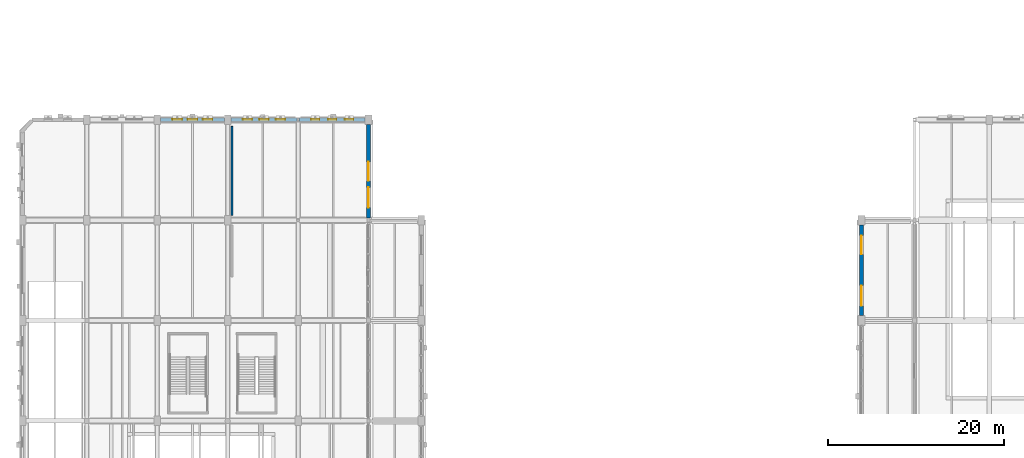
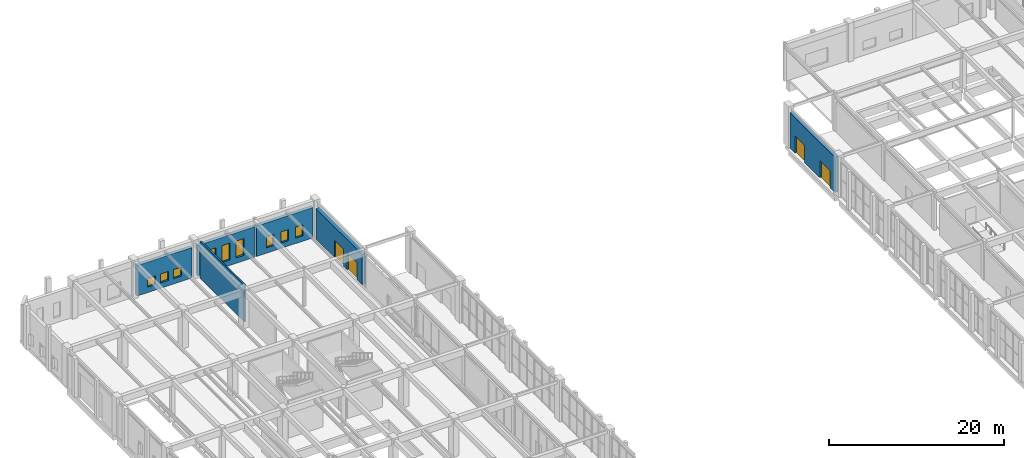
# One storey, part 89 of 113: 9 windows, 6 walls, 4 doors, 13 openings.
"""IFC4 building model written with IfcOpenShell, lengths in metres."""

from ifc_helpers import new_model, si_unit, direction, frame, frame_2d, origin, place, context, subcontext, project, spatial, rectangle, extrude, material, layer, layer_set, type_object, element, fill, save


model = new_model("IFC4")

# Units and contexts
model_context = context("Model", 3, precision=1e-05, world=origin(), true_north=direction((0.0, 1.0)))
body_context = subcontext(model_context, "Body", "Model", "MODEL_VIEW")
ifc_project = project(units=[si_unit("LENGTHUNIT", "METRE"), si_unit("AREAUNIT", "SQUARE_METRE"), si_unit("VOLUMEUNIT", "CUBIC_METRE"), si_unit("PLANEANGLEUNIT", "RADIAN"), si_unit("MASSUNIT", "GRAM", prefix="KILO"), si_unit("POWERUNIT", "WATT"), si_unit("THERMODYNAMICTEMPERATUREUNIT", "KELVIN")], contexts=[model_context])

# Site, building, storey
site_placement = place(None, origin())
site = spatial("IfcSite", under=ifc_project, at=site_placement, CompositionType="ELEMENT")
building_placement = place(site_placement, origin())
building = spatial("IfcBuilding", under=site, at=building_placement, Name="Kelmbourne Parkland Aquatics Centre", CompositionType="ELEMENT")
storey_placement = place(building_placement, origin())
storey = spatial("IfcBuildingStorey", under=building, at=storey_placement, Name="L00", CompositionType="ELEMENT", Elevation=0.0)

# Wall, openings, windows
ifc_material_1 = material(Name="Dark manganite base-course brickwork", Category="masonry")
ifc_layer_1 = layer(ifc_material_1, 0.429931640625)
ifc_layer_set_1 = layer_set([ifc_layer_1], Name="Dark manganite base-course brickwork")
wall_type_1 = type_object("IfcWallType", Name="W-EXT-430", PredefinedType="STANDARD", material=ifc_layer_set_1)
wall_1_placement = place(storey_placement, frame((16.376953125, 103.39990234375, 0.0), z_axis=(0.0, 0.0, 1.0), x_axis=(1.0, 0.0, 0.0)))
wall_1 = element("IfcWall", 1, at=wall_1_placement, inside=storey, type_object=wall_type_1, Name="Exterior polychrome brick wall EW-L00-017", PredefinedType="STANDARD", context=body_context, shape_type="SweptSolid", body=[
    extrude(rectangle(XDim=7.24609375, YDim=0.429931640625, at=frame_2d((3.623046875, 0.0))), origin(), (0.0, 0.0, 1.0), 4.2451171875),
])
opening_1_placement = place(wall_1_placement, frame((1.35009765625, 0.0, 0.75)))
opening_1 = element("IfcOpeningElement", 2, at=opening_1_placement, cuts=wall_1, Name="Opening W13", PredefinedType="OPENING", context=body_context, shape_type="SweptSolid", body=[
    extrude(rectangle(XDim=1.10009765625, YDim=1.25, at=frame_2d((0.550048828125, 0.625))), frame((0.0, 0.22705078125, 0.0), z_axis=(0.0, -1.0, 0.0), x_axis=(1.0, 0.0, 0.0)), (0.0, 0.0, 1.0), 0.453857421875),
])
opening_2_placement = place(wall_1_placement, frame((3.072998046875, 0.0, 0.75)))
opening_2 = element("IfcOpeningElement", 3, at=opening_2_placement, cuts=wall_1, Name="Opening W13", PredefinedType="OPENING", context=body_context, shape_type="SweptSolid", body=[
    extrude(rectangle(XDim=1.10009765625, YDim=1.25, at=frame_2d((0.550048828125, 0.625))), frame((0.0, 0.22705078125, 0.0), z_axis=(0.0, -1.0, 0.0), x_axis=(1.0, 0.0, 0.0)), (0.0, 0.0, 1.0), 0.453857421875),
])
opening_3_placement = place(wall_1_placement, frame((4.7958984375, 0.0, 0.75)))
opening_3 = element("IfcOpeningElement", 4, at=opening_3_placement, cuts=wall_1, Name="Opening W13", PredefinedType="OPENING", context=body_context, shape_type="SweptSolid", body=[
    extrude(rectangle(XDim=1.10009765625, YDim=1.25, at=frame_2d((0.550048828125, 0.625))), frame((0.0, 0.22705078125, 0.0), z_axis=(0.0, -1.0, 0.0), x_axis=(1.0, 0.0, 0.0)), (0.0, 0.0, 1.0), 0.453857421875),
])
ifc_material_2 = material(Name="Thermally broken anodised aluminium window with low-e glass", Category="aluminium")
ifc_layer_2 = layer(ifc_material_2, 0.090087890625)
ifc_layer_set_2 = layer_set([ifc_layer_2], Name="Thermally broken anodised aluminium window with low-e glass")
window_type_1 = type_object("IfcWindowType", Name="WN-13", PartitioningType="SINGLE_PANEL", PredefinedType="WINDOW", material=ifc_layer_set_2)
window_1_placement = place(opening_1_placement, origin())
window_1 = element("IfcWindow", 5, at=window_1_placement, inside=storey, type_object=window_type_1, Name="Deep-reveal masonry window W13", OverallHeight=1.25, OverallWidth=1.10009765625, PartitioningType="SINGLE_PANEL", PredefinedType="WINDOW", context=body_context, shape_type="SweptSolid", body=[
    extrude(rectangle(XDim=1.10009765625, YDim=1.25, at=frame_2d((0.550048828125, 0.625))), frame((0.0, 0.080078125, 0.0), z_axis=(0.0, -1.0, 0.0), x_axis=(1.0, 0.0, 0.0)), (0.0, 0.0, 1.0), 0.06005859375),
])
fill(opening_1, window_1)
window_2_placement = place(opening_2_placement, origin())
window_2 = element("IfcWindow", 6, at=window_2_placement, inside=storey, type_object=window_type_1, Name="Deep-reveal masonry window W13", OverallHeight=1.25, OverallWidth=1.10009765625, PartitioningType="SINGLE_PANEL", PredefinedType="WINDOW", context=body_context, shape_type="SweptSolid", body=[
    extrude(rectangle(XDim=1.10009765625, YDim=1.25, at=frame_2d((0.550048828125, 0.625))), frame((0.0, 0.080078125, 0.0), z_axis=(0.0, -1.0, 0.0), x_axis=(1.0, 0.0, 0.0)), (0.0, 0.0, 1.0), 0.06005859375),
])
fill(opening_2, window_2)
window_3_placement = place(opening_3_placement, origin())
window_3 = element("IfcWindow", 7, at=window_3_placement, inside=storey, type_object=window_type_1, Name="Deep-reveal masonry window W13", OverallHeight=1.25, OverallWidth=1.10009765625, PartitioningType="SINGLE_PANEL", PredefinedType="WINDOW", context=body_context, shape_type="SweptSolid", body=[
    extrude(rectangle(XDim=1.10009765625, YDim=1.25, at=frame_2d((0.550048828125, 0.625))), frame((0.0, 0.080078125, 0.0), z_axis=(0.0, -1.0, 0.0), x_axis=(1.0, 0.0, 0.0)), (0.0, 0.0, 1.0), 0.06005859375),
])
fill(opening_3, window_3)

wall_2_placement = place(storey_placement, frame((24.376953125, 103.39990234375, 0.0), z_axis=(0.0, 0.0, 1.0), x_axis=(1.0, 0.0, 0.0)))
wall_2 = element("IfcWall", 8, at=wall_2_placement, inside=storey, type_object=wall_type_1, Name="Exterior polychrome brick wall EW-L00-018", PredefinedType="STANDARD", context=body_context, shape_type="SweptSolid", body=[
    extrude(rectangle(XDim=7.49609375, YDim=0.429931640625, at=frame_2d((3.748046875, 0.0))), origin(), (0.0, 0.0, 1.0), 4.2451171875),
])
opening_4_placement = place(wall_2_placement, frame((1.35009765625, 0.0, 0.75)))
opening_4 = element("IfcOpeningElement", 9, at=opening_4_placement, cuts=wall_2, Name="Opening W17", PredefinedType="OPENING", context=body_context, shape_type="SweptSolid", body=[
    extrude(rectangle(XDim=1.050048828125, YDim=2.35009765625, at=frame_2d((0.52490234375, 1.175048828125))), frame((0.0, 0.22705078125, 0.0), z_axis=(0.0, -1.0, 0.0), x_axis=(1.0, 0.0, 0.0)), (0.0, 0.0, 1.0), 0.453857421875),
])
opening_5_placement = place(wall_2_placement, frame((3.222900390625, 0.0, 0.75)))
opening_5 = element("IfcOpeningElement", 10, at=opening_5_placement, cuts=wall_2, Name="Opening W17", PredefinedType="OPENING", context=body_context, shape_type="SweptSolid", body=[
    extrude(rectangle(XDim=1.050048828125, YDim=2.35009765625, at=frame_2d((0.52490234375, 1.175048828125))), frame((0.0, 0.22705078125, 0.0), z_axis=(0.0, -1.0, 0.0), x_axis=(1.0, 0.0, 0.0)), (0.0, 0.0, 1.0), 0.453857421875),
])
opening_6_placement = place(wall_2_placement, frame((5.095947265625, 0.0, 0.75)))
opening_6 = element("IfcOpeningElement", 11, at=opening_6_placement, cuts=wall_2, Name="Opening W17", PredefinedType="OPENING", context=body_context, shape_type="SweptSolid", body=[
    extrude(rectangle(XDim=1.050048828125, YDim=2.35009765625, at=frame_2d((0.52490234375, 1.175048828125))), frame((0.0, 0.22705078125, 0.0), z_axis=(0.0, -1.0, 0.0), x_axis=(1.0, 0.0, 0.0)), (0.0, 0.0, 1.0), 0.453857421875),
])
ifc_layer_3 = layer(ifc_material_2, 0.090087890625)
ifc_layer_set_3 = layer_set([ifc_layer_3], Name="Thermally broken anodised aluminium window with low-e glass")
window_type_2 = type_object("IfcWindowType", Name="WN-17", PartitioningType="SINGLE_PANEL", PredefinedType="WINDOW", material=ifc_layer_set_3)
window_4_placement = place(opening_4_placement, origin())
window_4 = element("IfcWindow", 12, at=window_4_placement, inside=storey, type_object=window_type_2, Name="Deep-reveal masonry window W17", OverallHeight=2.35009765625, OverallWidth=1.050048828125, PartitioningType="SINGLE_PANEL", PredefinedType="WINDOW", context=body_context, shape_type="SweptSolid", body=[
    extrude(rectangle(XDim=1.050048828125, YDim=2.35009765625, at=frame_2d((0.52490234375, 1.175048828125))), frame((0.0, 0.080078125, 0.0), z_axis=(0.0, -1.0, 0.0), x_axis=(1.0, 0.0, 0.0)), (0.0, 0.0, 1.0), 0.06005859375),
])
fill(opening_4, window_4)
window_5_placement = place(opening_5_placement, origin())
window_5 = element("IfcWindow", 13, at=window_5_placement, inside=storey, type_object=window_type_2, Name="Deep-reveal masonry window W17", OverallHeight=2.35009765625, OverallWidth=1.050048828125, PartitioningType="SINGLE_PANEL", PredefinedType="WINDOW", context=body_context, shape_type="SweptSolid", body=[
    extrude(rectangle(XDim=1.050048828125, YDim=2.35009765625, at=frame_2d((0.52490234375, 1.175048828125))), frame((0.0, 0.080078125, 0.0), z_axis=(0.0, -1.0, 0.0), x_axis=(1.0, 0.0, 0.0)), (0.0, 0.0, 1.0), 0.06005859375),
])
fill(opening_5, window_5)
window_6_placement = place(opening_6_placement, origin())
window_6 = element("IfcWindow", 14, at=window_6_placement, inside=storey, type_object=window_type_2, Name="Deep-reveal masonry window W17", OverallHeight=2.35009765625, OverallWidth=1.050048828125, PartitioningType="SINGLE_PANEL", PredefinedType="WINDOW", context=body_context, shape_type="SweptSolid", body=[
    extrude(rectangle(XDim=1.050048828125, YDim=2.35009765625, at=frame_2d((0.52490234375, 1.175048828125))), frame((0.0, 0.080078125, 0.0), z_axis=(0.0, -1.0, 0.0), x_axis=(1.0, 0.0, 0.0)), (0.0, 0.0, 1.0), 0.06005859375),
])
fill(opening_6, window_6)

wall_3_placement = place(storey_placement, frame((32.126953125, 103.39990234375, 0.0), z_axis=(0.0, 0.0, 1.0), x_axis=(1.0, 0.0, 0.0)))
wall_3 = element("IfcWall", 15, at=wall_3_placement, inside=storey, type_object=wall_type_1, Name="Exterior polychrome brick wall EW-L00-019", PredefinedType="STANDARD", context=body_context, shape_type="SweptSolid", body=[
    extrude(rectangle(XDim=7.49609375, YDim=0.429931640625, at=frame_2d((3.748046875, 0.0))), origin(), (0.0, 0.0, 1.0), 4.2451171875),
])
opening_7_placement = place(wall_3_placement, frame((1.35009765625, 0.0, 0.75)))
opening_7 = element("IfcOpeningElement", 16, at=opening_7_placement, cuts=wall_3, Name="Opening W21", PredefinedType="OPENING", context=body_context, shape_type="SweptSolid", body=[
    extrude(rectangle(XDim=0.949951171875, YDim=1.550048828125, at=frame_2d((0.47509765625, 0.77490234375))), frame((0.0, 0.22705078125, 0.0), z_axis=(0.0, -1.0, 0.0), x_axis=(1.0, 0.0, 0.0)), (0.0, 0.0, 1.0), 0.453857421875),
])
opening_8_placement = place(wall_3_placement, frame((3.27294921875, 0.0, 0.75)))
opening_8 = element("IfcOpeningElement", 17, at=opening_8_placement, cuts=wall_3, Name="Opening W21", PredefinedType="OPENING", context=body_context, shape_type="SweptSolid", body=[
    extrude(rectangle(XDim=0.949951171875, YDim=1.550048828125, at=frame_2d((0.47509765625, 0.77490234375))), frame((0.0, 0.22705078125, 0.0), z_axis=(0.0, -1.0, 0.0), x_axis=(1.0, 0.0, 0.0)), (0.0, 0.0, 1.0), 0.453857421875),
])
opening_9_placement = place(wall_3_placement, frame((5.196044921875, 0.0, 0.75)))
opening_9 = element("IfcOpeningElement", 18, at=opening_9_placement, cuts=wall_3, Name="Opening W21", PredefinedType="OPENING", context=body_context, shape_type="SweptSolid", body=[
    extrude(rectangle(XDim=0.949951171875, YDim=1.550048828125, at=frame_2d((0.47509765625, 0.77490234375))), frame((0.0, 0.22705078125, 0.0), z_axis=(0.0, -1.0, 0.0), x_axis=(1.0, 0.0, 0.0)), (0.0, 0.0, 1.0), 0.453857421875),
])
ifc_layer_4 = layer(ifc_material_2, 0.090087890625)
ifc_layer_set_4 = layer_set([ifc_layer_4], Name="Thermally broken anodised aluminium window with low-e glass")
window_type_3 = type_object("IfcWindowType", Name="WN-21", PartitioningType="SINGLE_PANEL", PredefinedType="WINDOW", material=ifc_layer_set_4)
window_7_placement = place(opening_7_placement, origin())
window_7 = element("IfcWindow", 19, at=window_7_placement, inside=storey, type_object=window_type_3, Name="Deep-reveal masonry window W21", OverallHeight=1.550048828125, OverallWidth=0.949951171875, PartitioningType="SINGLE_PANEL", PredefinedType="WINDOW", context=body_context, shape_type="SweptSolid", body=[
    extrude(rectangle(XDim=0.949951171875, YDim=1.550048828125, at=frame_2d((0.47509765625, 0.77490234375))), frame((0.0, 0.080078125, 0.0), z_axis=(0.0, -1.0, 0.0), x_axis=(1.0, 0.0, 0.0)), (0.0, 0.0, 1.0), 0.06005859375),
])
fill(opening_7, window_7)
window_8_placement = place(opening_8_placement, origin())
window_8 = element("IfcWindow", 20, at=window_8_placement, inside=storey, type_object=window_type_3, Name="Deep-reveal masonry window W21", OverallHeight=1.550048828125, OverallWidth=0.949951171875, PartitioningType="SINGLE_PANEL", PredefinedType="WINDOW", context=body_context, shape_type="SweptSolid", body=[
    extrude(rectangle(XDim=0.949951171875, YDim=1.550048828125, at=frame_2d((0.47509765625, 0.77490234375))), frame((0.0, 0.080078125, 0.0), z_axis=(0.0, -1.0, 0.0), x_axis=(1.0, 0.0, 0.0)), (0.0, 0.0, 1.0), 0.06005859375),
])
fill(opening_8, window_8)
window_9_placement = place(opening_9_placement, origin())
window_9 = element("IfcWindow", 21, at=window_9_placement, inside=storey, type_object=window_type_3, Name="Deep-reveal masonry window W21", OverallHeight=1.550048828125, OverallWidth=0.949951171875, PartitioningType="SINGLE_PANEL", PredefinedType="WINDOW", context=body_context, shape_type="SweptSolid", body=[
    extrude(rectangle(XDim=0.949951171875, YDim=1.550048828125, at=frame_2d((0.47509765625, 0.77490234375))), frame((0.0, 0.080078125, 0.0), z_axis=(0.0, -1.0, 0.0), x_axis=(1.0, 0.0, 0.0)), (0.0, 0.0, 1.0), 0.06005859375),
])
fill(opening_9, window_9)

# Wall, openings, doors
wall_4_placement = place(storey_placement, frame((40.0, 92.251953125, 0.0), z_axis=(0.0, 0.0, 1.0), x_axis=(0.0, 1.0, 0.0)))
wall_4 = element("IfcWall", 22, at=wall_4_placement, inside=storey, type_object=wall_type_1, Name="Exterior polychrome brick wall EW-L00-022", PredefinedType="STANDARD", context=body_context, shape_type="SweptSolid", body=[
    extrude(rectangle(XDim=10.595947265625, YDim=0.429931640625, at=frame_2d((5.2978515625, 0.0))), origin(), (0.0, 0.0, 1.0), 4.2451171875),
])
opening_10_placement = place(wall_4_placement, frame((1.18115234375, 0.0, 0.0)))
opening_10 = element("IfcOpeningElement", 23, at=opening_10_placement, cuts=wall_4, Name="Opening E05", PredefinedType="OPENING", context=body_context, shape_type="SweptSolid", body=[
    extrude(rectangle(XDim=2.300048828125, YDim=2.39990234375, at=frame_2d((1.14990234375, 1.199951171875))), frame((0.0, 0.22705078125, 0.0), z_axis=(0.0, -1.0, 0.0), x_axis=(1.0, 0.0, 0.0)), (0.0, 0.0, 1.0), 0.453857421875),
])
opening_11_placement = place(wall_4_placement, frame((4.222900390625, 0.0, 0.0)))
opening_11 = element("IfcOpeningElement", 24, at=opening_11_placement, cuts=wall_4, Name="Opening E06", PredefinedType="OPENING", context=body_context, shape_type="SweptSolid", body=[
    extrude(rectangle(XDim=2.14990234375, YDim=2.39990234375, at=frame_2d((1.074951171875, 1.199951171875))), frame((0.0, 0.22705078125, 0.0), z_axis=(0.0, -1.0, 0.0), x_axis=(1.0, 0.0, 0.0)), (0.0, 0.0, 1.0), 0.453857421875),
])
ifc_material_3 = material(Name="Thermally broken anodised aluminium commercial door", Category="aluminium")
ifc_layer_5 = layer(ifc_material_3, 0.06005859375)
ifc_layer_set_5 = layer_set([ifc_layer_5], Name="Thermally broken anodised aluminium commercial door")
door_type_1 = type_object("IfcDoorType", Name="DR-EXT-215", OperationType="NOTDEFINED", PredefinedType="DOOR", material=ifc_layer_set_5)
door_1_placement = place(opening_11_placement, frame((2.14990234375, 0.0, 0.0), z_axis=(0.0, 0.0, 1.0), x_axis=(-1.0, 0.0, 0.0)))
door_1 = element("IfcDoor", 25, at=door_1_placement, inside=storey, type_object=door_type_1, Name="Final exit double door E06", OperationType="DOUBLE_DOOR_SINGLE_SWING", OverallHeight=2.39990234375, OverallWidth=2.14990234375, PredefinedType="DOOR", context=body_context, shape_type="SweptSolid", body=[
    extrude(rectangle(XDim=2.14990234375, YDim=2.39990234375, at=frame_2d((1.074951171875, 1.199951171875))), frame((0.0, 0.02490234375, 0.0), z_axis=(0.0, -1.0, 0.0), x_axis=(1.0, 0.0, 0.0)), (0.0, 0.0, 1.0), 0.050048828125),
])
fill(opening_11, door_1)
ifc_layer_6 = layer(ifc_material_3, 0.06005859375)
ifc_layer_set_6 = layer_set([ifc_layer_6], Name="Thermally broken anodised aluminium commercial door")
door_type_2 = type_object("IfcDoorType", Name="DR-EXT-230", OperationType="NOTDEFINED", PredefinedType="DOOR", material=ifc_layer_set_6)
door_2_placement = place(opening_10_placement, frame((2.300048828125, 0.0, 0.0), z_axis=(0.0, 0.0, 1.0), x_axis=(-1.0, 0.0, 0.0)))
door_2 = element("IfcDoor", 26, at=door_2_placement, inside=storey, type_object=door_type_2, Name="Final exit double door E05", OperationType="DOUBLE_DOOR_SINGLE_SWING", OverallHeight=2.39990234375, OverallWidth=2.300048828125, PredefinedType="DOOR", context=body_context, shape_type="SweptSolid", body=[
    extrude(rectangle(XDim=2.300048828125, YDim=2.39990234375, at=frame_2d((1.14990234375, 1.199951171875))), frame((0.0, 0.02490234375, 0.0), z_axis=(0.0, -1.0, 0.0), x_axis=(1.0, 0.0, 0.0)), (0.0, 0.0, 1.0), 0.050048828125),
])
fill(opening_10, door_2)

wall_5_placement = place(storey_placement, frame((96.0, 81.152099609375, 0.0), z_axis=(0.0, 0.0, 1.0), x_axis=(0.0, 1.0, 0.0)))
wall_5 = element("IfcWall", 27, at=wall_5_placement, inside=storey, type_object=wall_type_1, Name="Exterior polychrome brick wall EW-L00-033", PredefinedType="STANDARD", context=body_context, shape_type="SweptSolid", body=[
    extrude(rectangle(XDim=10.2958984375, YDim=0.429931640625, at=frame_2d((5.14794921875, 0.0))), origin(), (0.0, 0.0, 1.0), 4.951904296875),
])
opening_12_placement = place(wall_5_placement, frame((1.114990234375, 0.0, 0.0)))
opening_12 = element("IfcOpeningElement", 28, at=opening_12_placement, cuts=wall_5, Name="Opening E13", PredefinedType="OPENING", context=body_context, shape_type="SweptSolid", body=[
    extrude(rectangle(XDim=2.300048828125, YDim=2.39990234375, at=frame_2d((1.14990234375, 1.199951171875))), frame((0.0, 0.22705078125, 0.0), z_axis=(0.0, -1.0, 0.0), x_axis=(1.0, 0.0, 0.0)), (0.0, 0.0, 1.0), 0.453857421875),
])
opening_13_placement = place(wall_5_placement, frame((6.955810546875, 0.0, 0.0)))
opening_13 = element("IfcOpeningElement", 29, at=opening_13_placement, cuts=wall_5, Name="Opening E14", PredefinedType="OPENING", context=body_context, shape_type="SweptSolid", body=[
    extrude(rectangle(XDim=2.14990234375, YDim=2.39990234375, at=frame_2d((1.074951171875, 1.199951171875))), frame((0.0, 0.22705078125, 0.0), z_axis=(0.0, -1.0, 0.0), x_axis=(1.0, 0.0, 0.0)), (0.0, 0.0, 1.0), 0.453857421875),
])
door_3_placement = place(opening_13_placement, origin())
door_3 = element("IfcDoor", 30, at=door_3_placement, inside=storey, type_object=door_type_1, Name="Final exit double door E14", OperationType="DOUBLE_DOOR_SINGLE_SWING", OverallHeight=2.39990234375, OverallWidth=2.14990234375, PredefinedType="DOOR", context=body_context, shape_type="SweptSolid", body=[
    extrude(rectangle(XDim=2.14990234375, YDim=2.39990234375, at=frame_2d((1.074951171875, 1.199951171875))), frame((0.0, 0.02490234375, 0.0), z_axis=(0.0, -1.0, 0.0), x_axis=(1.0, 0.0, 0.0)), (0.0, 0.0, 1.0), 0.050048828125),
])
fill(opening_13, door_3)
door_4_placement = place(opening_12_placement, origin())
door_4 = element("IfcDoor", 31, at=door_4_placement, inside=storey, type_object=door_type_2, Name="Final exit double door E13", OperationType="DOUBLE_DOOR_SINGLE_SWING", OverallHeight=2.39990234375, OverallWidth=2.300048828125, PredefinedType="DOOR", context=body_context, shape_type="SweptSolid", body=[
    extrude(rectangle(XDim=2.300048828125, YDim=2.39990234375, at=frame_2d((1.14990234375, 1.199951171875))), frame((0.0, 0.02490234375, 0.0), z_axis=(0.0, -1.0, 0.0), x_axis=(1.0, 0.0, 0.0)), (0.0, 0.0, 1.0), 0.050048828125),
])
fill(opening_12, door_4)

# Wall
ifc_material_4 = material(Name="Concrete blockwork C32/40", Category="masonry")
ifc_layer_7 = layer(ifc_material_4, 0.18994140625)
ifc_layer_set_7 = layer_set([ifc_layer_7], Name="Concrete blockwork C32/40")
wall_type_2 = type_object("IfcWallType", Name="W-SOLID-190", PredefinedType="SOLIDWALL", material=ifc_layer_set_7)
wall_6_placement = place(storey_placement, frame((24.5, 92.552001953125, 0.0), z_axis=(0.0, 0.0, 1.0), x_axis=(0.0, 1.0, 0.0)))
element("IfcWall", 32, at=wall_6_placement, inside=storey, type_object=wall_type_2, Name="Interior partition PT-L00-046", PredefinedType="SOLIDWALL", context=body_context, shape_type="SweptSolid", body=[
    extrude(rectangle(XDim=10.097900390625, YDim=0.18994140625, at=frame_2d((5.048828125, 0.0))), origin(), (0.0, 0.0, 1.0), 5.159912109375),
])

save(model, "model.ifc")
